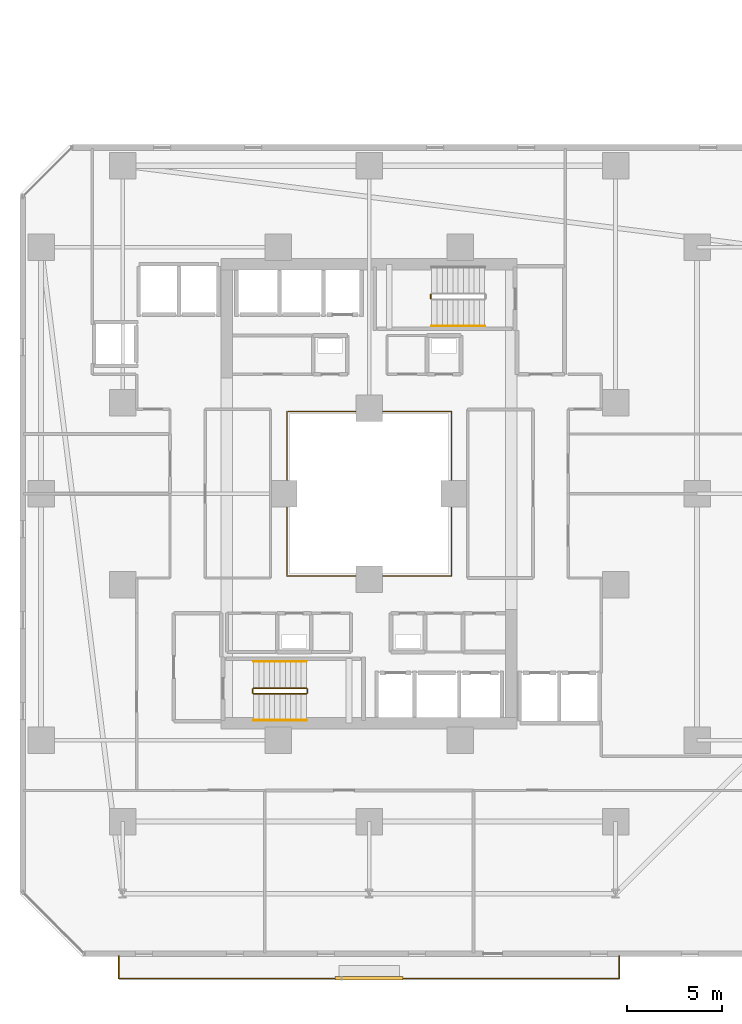
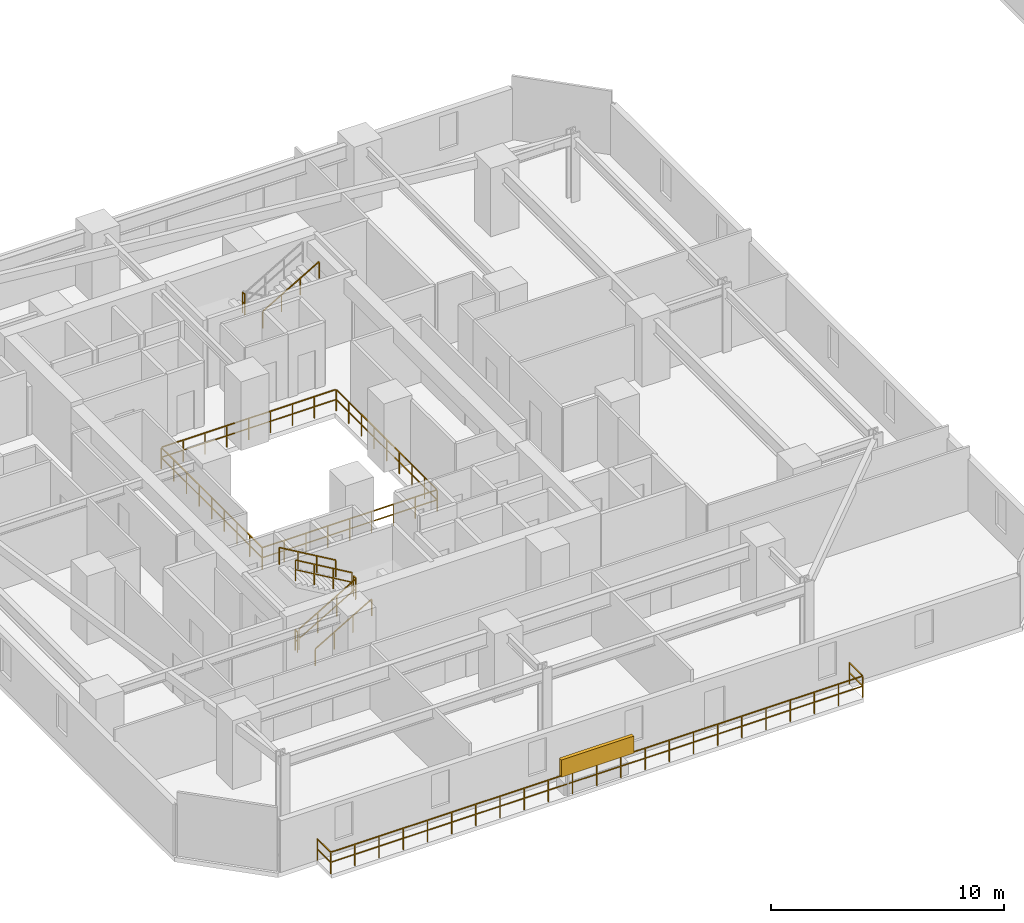
# One storey, part 31 of 34: 10 railings, 1 shading device.
"""IFC4 building model written with IfcOpenShell, lengths in metres."""

import ifcopenshell
import ifcopenshell.guid

model = None  # the IFC model being written
_history = None  # IfcOwnerHistory: only IFC2X3 demands one
_inside = {}  # id of a spatial element -> (the spatial element, [elements in it])
_under = {}  # id of a project, library or spatial element -> (it, [spatial elements below it])
_declared = {}  # id of a project -> (the project, [libraries it declares])
_typed = {}  # id of a type object -> (the type object, [elements of that type])
_made_of = {}  # id of a material, layer set ... -> (it, [elements and type objects made of it])


def new_model(schema):
    """Start an empty IFC model of exactly this schema.

    Asked for "IFC4X3", IfcOpenShell would pick the latest addendum, in which some entities
    have other attributes; the version numbers below select the first issue.
    IFC2X3 requires an IfcOwnerHistory on every rooted entity: one is made here for all.
    """
    global model, _history
    if schema == "IFC4X3":
        model = ifcopenshell.file(schema_version=(4, 3, 0, 0))
    else:
        model = ifcopenshell.file(schema=schema)
    _inside.clear()
    _under.clear()
    _declared.clear()
    _typed.clear()
    _made_of.clear()
    _history = None
    if model.schema == "IFC2X3":
        org = make("IfcOrganization", Name="unknown")
        user = make(
            "IfcPersonAndOrganization",
            ThePerson=make("IfcPerson", FamilyName="unknown"),
            TheOrganization=org,
        )
        app = make(
            "IfcApplication",
            ApplicationDeveloper=org,
            Version="unknown",
            ApplicationFullName="unknown",
            ApplicationIdentifier="unknown",
        )
        _history = make(
            "IfcOwnerHistory",
            OwningUser=user,
            OwningApplication=app,
            ChangeAction="ADDED",
            CreationDate=0,
        )
    return model


def make(cls, **values):
    """One entity of the class cls with the attributes given. An attribute that is None is left unset."""
    return model.create_entity(
        cls, **{name: value for name, value in values.items() if value is not None}
    )


def rooted(cls, **values):
    """An entity with a GlobalId (a new one), such as an element, a storey or a relation."""
    return make(cls, GlobalId=ifcopenshell.guid.new(), OwnerHistory=_history, **values)


def si_unit(unit_type, name, prefix=None):
    """IfcSIUnit, for example si_unit("LENGTHUNIT", "METRE", prefix="MILLI")."""
    return make("IfcSIUnit", UnitType=unit_type, Prefix=prefix, Name=name)


def assignment(units):
    """IfcUnitAssignment: the units of a project."""
    return None if units is None else make("IfcUnitAssignment", Units=units)


def point(xyz):
    """IfcCartesianPoint."""
    return None if xyz is None else make("IfcCartesianPoint", Coordinates=xyz)


def direction(xyz):
    """IfcDirection."""
    return None if xyz is None else make("IfcDirection", DirectionRatios=xyz)


def frame(location, z_axis=None, x_axis=None):
    """IfcAxis2Placement3D, a coordinate frame: its origin and axes. An axis left out is left unset."""
    return make(
        "IfcAxis2Placement3D",
        Location=point(location),
        Axis=direction(z_axis),
        RefDirection=direction(x_axis),
    )


def frame_2d(location, x_axis=None):
    """IfcAxis2Placement2D, a coordinate frame in the plane: its origin and x axis."""
    return make(
        "IfcAxis2Placement2D", Location=point(location), RefDirection=direction(x_axis)
    )


def origin():
    """The frame at (0, 0, 0) with its axes left unset."""
    return frame((0.0, 0.0, 0.0))


def origin_2d():
    """The frame at (0, 0) in the plane with its x axis left unset."""
    return frame_2d((0.0, 0.0))


def place(relative_to, where):
    """IfcLocalPlacement: puts the frame where relative to a parent placement (None: the world)."""
    return make(
        "IfcLocalPlacement", PlacementRelTo=relative_to, RelativePlacement=where
    )


def context(
    kind, dimensions, precision=None, world=None, true_north=None, identifier=None
):
    """IfcGeometricRepresentationContext, for example the 3D "Model" context."""
    return make(
        "IfcGeometricRepresentationContext",
        ContextIdentifier=identifier,
        ContextType=kind,
        CoordinateSpaceDimension=dimensions,
        Precision=precision,
        WorldCoordinateSystem=world,
        TrueNorth=true_north,
    )


def subcontext(parent, identifier, kind, view, scale=None):
    """IfcGeometricRepresentationSubContext, for example "Body" below "Model"."""
    return make(
        "IfcGeometricRepresentationSubContext",
        ContextIdentifier=identifier,
        ContextType=kind,
        ParentContext=parent,
        TargetScale=scale,
        TargetView=view,
    )


def project(units=None, contexts=None):
    """IfcProject with its units and contexts."""
    return rooted(
        "IfcProject",
        Name="project",
        RepresentationContexts=contexts,
        UnitsInContext=assignment(units),
    )


def spatial(cls, under=None, at=None, **own):
    """A site, building, storey or space (cls), placed at a placement, below another one or the project."""
    s = rooted(cls, ObjectPlacement=at, **own)
    if under is not None:
        _under.setdefault(under.id(), (under, []))[1].append(s)
    return s


def profile(cls, at=None, kind="AREA", **sizes):
    """A parametric profile (cls). Its sizes go by their IFC names, for example OverallWidth=200.0."""
    return make(cls, ProfileType=kind, Position=at, **sizes)


def rectangle(**sizes):
    """IfcRectangleProfileDef."""
    return profile("IfcRectangleProfileDef", **sizes)


def extrude(swept, where, along, depth):
    """IfcExtrudedAreaSolid: the profile swept, set in the frame where, extruded along a direction by depth."""
    return make(
        "IfcExtrudedAreaSolid",
        SweptArea=swept,
        Position=where,
        ExtrudedDirection=direction(along),
        Depth=depth,
    )


def shape(context_of_items, identifier, shape_type, items):
    """IfcShapeRepresentation: the items that make up one representation, for example the "Body"."""
    return make(
        "IfcShapeRepresentation",
        ContextOfItems=context_of_items,
        RepresentationIdentifier=identifier,
        RepresentationType=shape_type,
        Items=items,
    )


def material(Name=None, Category=None):
    """IfcMaterial."""
    return make("IfcMaterial", Name=Name, Category=Category)


def made_of(thing, what):
    """Note that an element or type object is made of a material, layer set ...; save() writes the relation."""
    if what is not None:
        _made_of.setdefault(what.id(), (what, []))[1].append(thing)
    return thing


def type_object(cls, material=None, **own):
    """A type object (cls), such as IfcWallType, which elements share."""
    return made_of(rooted(cls, **own), material)


def element(
    cls,
    number,
    at=None,
    inside=None,
    cuts=None,
    type_object=None,
    material=None,
    context=None,
    identifier="Body",
    shape_type=None,
    held_by="IfcProductDefinitionShape",
    body=None,
    shapes=None,
    **own,
):
    """One element of the class cls, such as IfcWall. Its Tag is "e" and its number.

    at: its placement. inside: the storey or other place that contains it. cuts: it is an
    opening in that element (IfcRelVoidsElement). A single representation is given by context,
    identifier, shape_type and body (its items); several are given by shapes. held_by: the class
    of the entity that holds the representations. save() writes the other relations.
    """
    e = rooted(cls, Tag="e%d" % number, ObjectPlacement=at, **own)
    if body is not None:
        shapes = [shape(context, identifier, shape_type, body)]
    if shapes is not None:
        e.Representation = make(held_by, Representations=shapes)
    if inside is not None:
        _inside.setdefault(inside.id(), (inside, []))[1].append(e)
    if cuts is not None:
        rooted(
            "IfcRelVoidsElement", RelatingBuildingElement=cuts, RelatedOpeningElement=e
        )
    if type_object is not None:
        _typed.setdefault(type_object.id(), (type_object, []))[1].append(e)
    return made_of(e, material)


def aggregate(whole, parts):
    """IfcRelAggregates: a whole, such as a stair, and the parts it consists of."""
    return rooted("IfcRelAggregates", RelatingObject=whole, RelatedObjects=parts)


def save(model, path):
    """Write the relations noted so far, then the file.

    IfcRelAggregates (storeys below a building ...), IfcRelContainedInSpatialStructure (elements
    in a storey), IfcRelDefinesByType, IfcRelAssociatesMaterial and IfcRelDeclares: one each for
    every whole, place, type object, material and project.
    """
    for whole, parts in _under.values():
        aggregate(whole, parts)
    for where, things in _inside.values():
        rooted(
            "IfcRelContainedInSpatialStructure",
            RelatedElements=things,
            RelatingStructure=where,
        )
    for kind, things in _typed.values():
        rooted("IfcRelDefinesByType", RelatedObjects=things, RelatingType=kind)
    for what, things in _made_of.values():
        rooted("IfcRelAssociatesMaterial", RelatedObjects=things, RelatingMaterial=what)
    for by, libraries in _declared.values():
        rooted("IfcRelDeclares", RelatingContext=by, RelatedDefinitions=libraries)
    model.write(path)


model = new_model("IFC4")

# Units and contexts
model_context = context("Model", 3, precision=1e-05, world=origin(), true_north=direction((0.0, 1.0)))
body_context = subcontext(model_context, "Body", "Model", "MODEL_VIEW")
ifc_project = project(units=[si_unit("LENGTHUNIT", "METRE"), si_unit("AREAUNIT", "SQUARE_METRE"), si_unit("VOLUMEUNIT", "CUBIC_METRE"), si_unit("PLANEANGLEUNIT", "RADIAN"), si_unit("MASSUNIT", "GRAM", prefix="KILO")], contexts=[model_context])

# Site, building, storey
site_placement = place(None, origin())
site = spatial("IfcSite", under=ifc_project, at=site_placement, CompositionType="ELEMENT")
building_placement = place(site_placement, origin())
building = spatial("IfcBuilding", under=site, at=building_placement, Name="Thornwick Lancets Civic Towers", CompositionType="ELEMENT")
storey_placement = place(building_placement, frame((0.0, 0.0, 60.89990234375)))
storey = spatial("IfcBuildingStorey", under=building, at=storey_placement, Name="L15", CompositionType="ELEMENT", Elevation=60.89990234375)

# Railings
ifc_material_1 = material(Name="Laminated glass and bronze steel S355", Category="steel")
railing_type_1 = type_object("IfcRailingType", Name="RAIL_ATRIUM_GUARD", PredefinedType="BALUSTRADE", material=ifc_material_1)
railing_1_placement = place(storey_placement, frame((21.159912109375, 22.659912109375, 0.0)))
element("IfcRailing", 1, at=railing_1_placement, inside=storey, type_object=railing_type_1, Name="L15 Tower A Central Atrium Guard Balustrade", PredefinedType="BALUSTRADE", context=body_context, shape_type="SweptSolid", body=[
    extrude(rectangle(XDim=0.048095703125, YDim=0.048095703125, at=origin_2d()), frame((0.0, 0.0, 1.1259765625), z_axis=(1.0, 0.0, 0.0), x_axis=(0.0, 1.0, 0.0)), (0.0, 0.0, 1.0), 8.64892578125),
    extrude(rectangle(XDim=0.0419921875, YDim=0.0419921875, at=origin_2d()), frame((0.03759765625, 0.0, 0.597900390625), z_axis=(1.0, 0.0, 0.0), x_axis=(0.0, 1.0, 0.0)), (0.0, 0.0, 1.0), 1.010009765625),
    extrude(rectangle(XDim=0.0419921875, YDim=0.0419921875, at=origin_2d()), frame((1.12255859375, 0.0, 0.597900390625), z_axis=(1.0, 0.0, 0.0), x_axis=(0.0, 1.0, 0.0)), (0.0, 0.0, 1.0), 1.010009765625),
    extrude(rectangle(XDim=0.0419921875, YDim=0.0419921875, at=origin_2d()), frame((2.20751953125, 0.0, 0.597900390625), z_axis=(1.0, 0.0, 0.0), x_axis=(0.0, 1.0, 0.0)), (0.0, 0.0, 1.0), 1.010009765625),
    extrude(rectangle(XDim=0.0419921875, YDim=0.0419921875, at=origin_2d()), frame((3.29248046875, 0.0, 0.597900390625), z_axis=(1.0, 0.0, 0.0), x_axis=(0.0, 1.0, 0.0)), (0.0, 0.0, 1.0), 1.010009765625),
    extrude(rectangle(XDim=0.0419921875, YDim=0.0419921875, at=origin_2d()), frame((4.377685546875, 0.0, 0.597900390625), z_axis=(1.0, 0.0, 0.0), x_axis=(0.0, 1.0, 0.0)), (0.0, 0.0, 1.0), 1.010009765625),
    extrude(rectangle(XDim=0.0419921875, YDim=0.0419921875, at=origin_2d()), frame((5.462646484375, 0.0, 0.597900390625), z_axis=(1.0, 0.0, 0.0), x_axis=(0.0, 1.0, 0.0)), (0.0, 0.0, 1.0), 1.010009765625),
    extrude(rectangle(XDim=0.0419921875, YDim=0.0419921875, at=origin_2d()), frame((6.547607421875, 0.0, 0.597900390625), z_axis=(1.0, 0.0, 0.0), x_axis=(0.0, 1.0, 0.0)), (0.0, 0.0, 1.0), 1.010009765625),
    extrude(rectangle(XDim=0.0419921875, YDim=0.0419921875, at=origin_2d()), frame((7.632568359375, 0.0, 0.597900390625), z_axis=(1.0, 0.0, 0.0), x_axis=(0.0, 1.0, 0.0)), (0.0, 0.0, 1.0), 1.010009765625),
    extrude(rectangle(XDim=0.048095703125, YDim=0.048095703125, at=origin_2d()), frame((8.68017578125, 0.03125, 1.1259765625), z_axis=(0.0, 1.0, 0.0), x_axis=(-1.0, 0.0, 0.0)), (0.0, 0.0, 1.0), 8.61767578125),
    extrude(rectangle(XDim=0.0419921875, YDim=0.0419921875, at=origin_2d()), frame((8.68017578125, 0.03759765625, 0.597900390625), z_axis=(0.0, 1.0, 0.0), x_axis=(-1.0, 0.0, 0.0)), (0.0, 0.0, 1.0), 1.010009765625),
    extrude(rectangle(XDim=0.0419921875, YDim=0.0419921875, at=origin_2d()), frame((8.68017578125, 1.12255859375, 0.597900390625), z_axis=(0.0, 1.0, 0.0), x_axis=(-1.0, 0.0, 0.0)), (0.0, 0.0, 1.0), 1.010009765625),
    extrude(rectangle(XDim=0.0419921875, YDim=0.0419921875, at=origin_2d()), frame((8.68017578125, 2.20751953125, 0.597900390625), z_axis=(0.0, 1.0, 0.0), x_axis=(-1.0, 0.0, 0.0)), (0.0, 0.0, 1.0), 1.010009765625),
    extrude(rectangle(XDim=0.0419921875, YDim=0.0419921875, at=origin_2d()), frame((8.68017578125, 3.29248046875, 0.597900390625), z_axis=(0.0, 1.0, 0.0), x_axis=(-1.0, 0.0, 0.0)), (0.0, 0.0, 1.0), 1.010009765625),
    extrude(rectangle(XDim=0.0419921875, YDim=0.0419921875, at=origin_2d()), frame((8.68017578125, 4.377685546875, 0.597900390625), z_axis=(0.0, 1.0, 0.0), x_axis=(-1.0, 0.0, 0.0)), (0.0, 0.0, 1.0), 1.010009765625),
    extrude(rectangle(XDim=0.0419921875, YDim=0.0419921875, at=origin_2d()), frame((8.68017578125, 5.462646484375, 0.597900390625), z_axis=(0.0, 1.0, 0.0), x_axis=(-1.0, 0.0, 0.0)), (0.0, 0.0, 1.0), 1.010009765625),
    extrude(rectangle(XDim=0.0419921875, YDim=0.0419921875, at=origin_2d()), frame((8.68017578125, 6.547607421875, 0.597900390625), z_axis=(0.0, 1.0, 0.0), x_axis=(-1.0, 0.0, 0.0)), (0.0, 0.0, 1.0), 1.010009765625),
    extrude(rectangle(XDim=0.0419921875, YDim=0.0419921875, at=origin_2d()), frame((8.68017578125, 7.632568359375, 0.597900390625), z_axis=(0.0, 1.0, 0.0), x_axis=(-1.0, 0.0, 0.0)), (0.0, 0.0, 1.0), 1.010009765625),
    extrude(rectangle(XDim=0.048095703125, YDim=0.048095703125, at=origin_2d()), frame((8.64892578125, 8.68017578125, 1.1259765625), z_axis=(-1.0, 0.0, 0.0), x_axis=(0.0, -1.0, 0.0)), (0.0, 0.0, 1.0), 8.61767578125),
    extrude(rectangle(XDim=0.0419921875, YDim=0.0419921875, at=origin_2d()), frame((8.642578125, 8.68017578125, 0.597900390625), z_axis=(-1.0, 0.0, 0.0), x_axis=(0.0, -1.0, 0.0)), (0.0, 0.0, 1.0), 1.010009765625),
    extrude(rectangle(XDim=0.0419921875, YDim=0.0419921875, at=origin_2d()), frame((7.5576171875, 8.68017578125, 0.597900390625), z_axis=(-1.0, 0.0, 0.0), x_axis=(0.0, -1.0, 0.0)), (0.0, 0.0, 1.0), 1.010009765625),
    extrude(rectangle(XDim=0.0419921875, YDim=0.0419921875, at=origin_2d()), frame((6.47265625, 8.68017578125, 0.597900390625), z_axis=(-1.0, 0.0, 0.0), x_axis=(0.0, -1.0, 0.0)), (0.0, 0.0, 1.0), 1.010009765625),
    extrude(rectangle(XDim=0.0419921875, YDim=0.0419921875, at=origin_2d()), frame((5.3876953125, 8.68017578125, 0.597900390625), z_axis=(-1.0, 0.0, 0.0), x_axis=(0.0, -1.0, 0.0)), (0.0, 0.0, 1.0), 1.010009765625),
    extrude(rectangle(XDim=0.0419921875, YDim=0.0419921875, at=origin_2d()), frame((4.302490234375, 8.68017578125, 0.597900390625), z_axis=(-1.0, 0.0, 0.0), x_axis=(0.0, -1.0, 0.0)), (0.0, 0.0, 1.0), 1.010009765625),
    extrude(rectangle(XDim=0.0419921875, YDim=0.0419921875, at=origin_2d()), frame((3.217529296875, 8.68017578125, 0.597900390625), z_axis=(-1.0, 0.0, 0.0), x_axis=(0.0, -1.0, 0.0)), (0.0, 0.0, 1.0), 1.010009765625),
    extrude(rectangle(XDim=0.0419921875, YDim=0.0419921875, at=origin_2d()), frame((2.132568359375, 8.68017578125, 0.597900390625), z_axis=(-1.0, 0.0, 0.0), x_axis=(0.0, -1.0, 0.0)), (0.0, 0.0, 1.0), 1.010009765625),
    extrude(rectangle(XDim=0.0419921875, YDim=0.0419921875, at=origin_2d()), frame((1.047607421875, 8.68017578125, 0.597900390625), z_axis=(-1.0, 0.0, 0.0), x_axis=(0.0, -1.0, 0.0)), (0.0, 0.0, 1.0), 1.010009765625),
    extrude(rectangle(XDim=0.048095703125, YDim=0.048095703125, at=origin_2d()), frame((0.0, 8.64892578125, 1.1259765625), z_axis=(0.0, -1.0, 0.0), x_axis=(1.0, 0.0, 0.0)), (0.0, 0.0, 1.0), 8.64892578125),
    extrude(rectangle(XDim=0.0419921875, YDim=0.0419921875, at=origin_2d()), frame((0.0, 8.642578125, 0.597900390625), z_axis=(0.0, -1.0, 0.0), x_axis=(1.0, 0.0, 0.0)), (0.0, 0.0, 1.0), 1.010009765625),
    extrude(rectangle(XDim=0.0419921875, YDim=0.0419921875, at=origin_2d()), frame((0.0, 7.5576171875, 0.597900390625), z_axis=(0.0, -1.0, 0.0), x_axis=(1.0, 0.0, 0.0)), (0.0, 0.0, 1.0), 1.010009765625),
    extrude(rectangle(XDim=0.0419921875, YDim=0.0419921875, at=origin_2d()), frame((0.0, 6.47265625, 0.597900390625), z_axis=(0.0, -1.0, 0.0), x_axis=(1.0, 0.0, 0.0)), (0.0, 0.0, 1.0), 1.010009765625),
    extrude(rectangle(XDim=0.0419921875, YDim=0.0419921875, at=origin_2d()), frame((0.0, 5.3876953125, 0.597900390625), z_axis=(0.0, -1.0, 0.0), x_axis=(1.0, 0.0, 0.0)), (0.0, 0.0, 1.0), 1.010009765625),
    extrude(rectangle(XDim=0.0419921875, YDim=0.0419921875, at=origin_2d()), frame((0.0, 4.302490234375, 0.597900390625), z_axis=(0.0, -1.0, 0.0), x_axis=(1.0, 0.0, 0.0)), (0.0, 0.0, 1.0), 1.010009765625),
    extrude(rectangle(XDim=0.0419921875, YDim=0.0419921875, at=origin_2d()), frame((0.0, 3.217529296875, 0.597900390625), z_axis=(0.0, -1.0, 0.0), x_axis=(1.0, 0.0, 0.0)), (0.0, 0.0, 1.0), 1.010009765625),
    extrude(rectangle(XDim=0.0419921875, YDim=0.0419921875, at=origin_2d()), frame((0.0, 2.132568359375, 0.597900390625), z_axis=(0.0, -1.0, 0.0), x_axis=(1.0, 0.0, 0.0)), (0.0, 0.0, 1.0), 1.010009765625),
    extrude(rectangle(XDim=0.0419921875, YDim=0.0419921875, at=origin_2d()), frame((0.0, 1.047607421875, 0.597900390625), z_axis=(0.0, -1.0, 0.0), x_axis=(1.0, 0.0, 0.0)), (0.0, 0.0, 1.0), 1.010009765625),
    extrude(rectangle(XDim=0.0419921875, YDim=0.0419921875, at=origin_2d()), origin(), (0.0, 0.0, 1.0), 1.095703125),
    extrude(rectangle(XDim=0.0419921875, YDim=0.0419921875, at=origin_2d()), frame((1.0849609375, 0.0, 0.0)), (0.0, 0.0, 1.0), 1.095703125),
    extrude(rectangle(XDim=0.0419921875, YDim=0.0419921875, at=origin_2d()), frame((2.169921875, 0.0, 0.0)), (0.0, 0.0, 1.0), 1.095703125),
    extrude(rectangle(XDim=0.0419921875, YDim=0.0419921875, at=origin_2d()), frame((3.255126953125, 0.0, 0.0)), (0.0, 0.0, 1.0), 1.095703125),
    extrude(rectangle(XDim=0.0419921875, YDim=0.0419921875, at=origin_2d()), frame((4.340087890625, 0.0, 0.0)), (0.0, 0.0, 1.0), 1.095703125),
    extrude(rectangle(XDim=0.0419921875, YDim=0.0419921875, at=origin_2d()), frame((5.425048828125, 0.0, 0.0)), (0.0, 0.0, 1.0), 1.095703125),
    extrude(rectangle(XDim=0.0419921875, YDim=0.0419921875, at=origin_2d()), frame((6.51025390625, 0.0, 0.0)), (0.0, 0.0, 1.0), 1.095703125),
    extrude(rectangle(XDim=0.0419921875, YDim=0.0419921875, at=origin_2d()), frame((7.59521484375, 0.0, 0.0)), (0.0, 0.0, 1.0), 1.095703125),
    extrude(rectangle(XDim=0.0419921875, YDim=0.0419921875, at=origin_2d()), frame((8.68017578125, 0.0, 0.0)), (0.0, 0.0, 1.0), 1.095703125),
    extrude(rectangle(XDim=0.0419921875, YDim=0.0419921875, at=origin_2d()), frame((8.68017578125, 1.0849609375, 0.0)), (0.0, 0.0, 1.0), 1.095703125),
    extrude(rectangle(XDim=0.0419921875, YDim=0.0419921875, at=origin_2d()), frame((8.68017578125, 2.169921875, 0.0)), (0.0, 0.0, 1.0), 1.095703125),
    extrude(rectangle(XDim=0.0419921875, YDim=0.0419921875, at=origin_2d()), frame((8.68017578125, 3.255126953125, 0.0)), (0.0, 0.0, 1.0), 1.095703125),
    extrude(rectangle(XDim=0.0419921875, YDim=0.0419921875, at=origin_2d()), frame((8.68017578125, 4.340087890625, 0.0)), (0.0, 0.0, 1.0), 1.095703125),
    extrude(rectangle(XDim=0.0419921875, YDim=0.0419921875, at=origin_2d()), frame((8.68017578125, 5.425048828125, 0.0)), (0.0, 0.0, 1.0), 1.095703125),
    extrude(rectangle(XDim=0.0419921875, YDim=0.0419921875, at=origin_2d()), frame((8.68017578125, 6.51025390625, 0.0)), (0.0, 0.0, 1.0), 1.095703125),
    extrude(rectangle(XDim=0.0419921875, YDim=0.0419921875, at=origin_2d()), frame((8.68017578125, 7.59521484375, 0.0)), (0.0, 0.0, 1.0), 1.095703125),
    extrude(rectangle(XDim=0.0419921875, YDim=0.0419921875, at=origin_2d()), frame((8.68017578125, 8.68017578125, 0.0)), (0.0, 0.0, 1.0), 1.095703125),
    extrude(rectangle(XDim=0.0419921875, YDim=0.0419921875, at=origin_2d()), frame((7.59521484375, 8.68017578125, 0.0)), (0.0, 0.0, 1.0), 1.095703125),
    extrude(rectangle(XDim=0.0419921875, YDim=0.0419921875, at=origin_2d()), frame((6.51025390625, 8.68017578125, 0.0)), (0.0, 0.0, 1.0), 1.095703125),
    extrude(rectangle(XDim=0.0419921875, YDim=0.0419921875, at=origin_2d()), frame((5.425048828125, 8.68017578125, 0.0)), (0.0, 0.0, 1.0), 1.095703125),
    extrude(rectangle(XDim=0.0419921875, YDim=0.0419921875, at=origin_2d()), frame((4.340087890625, 8.68017578125, 0.0)), (0.0, 0.0, 1.0), 1.095703125),
    extrude(rectangle(XDim=0.0419921875, YDim=0.0419921875, at=origin_2d()), frame((3.255126953125, 8.68017578125, 0.0)), (0.0, 0.0, 1.0), 1.095703125),
    extrude(rectangle(XDim=0.0419921875, YDim=0.0419921875, at=origin_2d()), frame((2.169921875, 8.68017578125, 0.0)), (0.0, 0.0, 1.0), 1.095703125),
    extrude(rectangle(XDim=0.0419921875, YDim=0.0419921875, at=origin_2d()), frame((1.0849609375, 8.68017578125, 0.0)), (0.0, 0.0, 1.0), 1.095703125),
    extrude(rectangle(XDim=0.0419921875, YDim=0.0419921875, at=origin_2d()), frame((0.0, 8.68017578125, 0.0)), (0.0, 0.0, 1.0), 1.095703125),
    extrude(rectangle(XDim=0.0419921875, YDim=0.0419921875, at=origin_2d()), frame((0.0, 7.59521484375, 0.0)), (0.0, 0.0, 1.0), 1.095703125),
    extrude(rectangle(XDim=0.0419921875, YDim=0.0419921875, at=origin_2d()), frame((0.0, 6.51025390625, 0.0)), (0.0, 0.0, 1.0), 1.095703125),
    extrude(rectangle(XDim=0.0419921875, YDim=0.0419921875, at=origin_2d()), frame((0.0, 5.425048828125, 0.0)), (0.0, 0.0, 1.0), 1.095703125),
    extrude(rectangle(XDim=0.0419921875, YDim=0.0419921875, at=origin_2d()), frame((0.0, 4.340087890625, 0.0)), (0.0, 0.0, 1.0), 1.095703125),
    extrude(rectangle(XDim=0.0419921875, YDim=0.0419921875, at=origin_2d()), frame((0.0, 3.255126953125, 0.0)), (0.0, 0.0, 1.0), 1.095703125),
    extrude(rectangle(XDim=0.0419921875, YDim=0.0419921875, at=origin_2d()), frame((0.0, 2.169921875, 0.0)), (0.0, 0.0, 1.0), 1.095703125),
    extrude(rectangle(XDim=0.0419921875, YDim=0.0419921875, at=origin_2d()), frame((0.0, 1.0849609375, 0.0)), (0.0, 0.0, 1.0), 1.095703125),
])
ifc_material_2 = material(Name="Brushed stainless steel S355", Category="steel")
railing_type_2 = type_object("IfcRailingType", Name="RAIL_HANDRAIL", PredefinedType="HANDRAIL", material=ifc_material_2)
railing_2_placement = place(storey_placement, frame((19.39990234375, 15.050048828125, 0.163818359375)))
element("IfcRailing", 2, at=railing_2_placement, inside=storey, type_object=railing_type_2, Name="L15 ST-A1 stair handrail 1", PredefinedType="HANDRAIL", context=body_context, shape_type="SweptSolid", body=[
    extrude(rectangle(XDim=0.048095703125, YDim=0.048095703125, at=origin_2d()), frame((0.0, 0.0, 0.8857421875), z_axis=(0.863393664356, 0.0, 0.504530851732), x_axis=(0.0, 1.0, 0.0)), (0.0, 0.0, 1.0), 3.2431640625),
    extrude(rectangle(XDim=0.0419921875, YDim=0.0419921875, at=origin_2d()), origin(), (0.0, 0.0, 1.0), 0.855712890625),
    extrude(rectangle(XDim=0.0419921875, YDim=0.0419921875, at=origin_2d()), frame((0.933349609375, 0.0, 0.54541015625)), (0.0, 0.0, 1.0), 0.855712890625),
    extrude(rectangle(XDim=0.0419921875, YDim=0.0419921875, at=origin_2d()), frame((1.86669921875, 0.0, 1.0908203125)), (0.0, 0.0, 1.0), 0.855712890625),
    extrude(rectangle(XDim=0.0419921875, YDim=0.0419921875, at=origin_2d()), frame((2.800048828125, 0.0, 1.63623046875)), (0.0, 0.0, 1.0), 0.855712890625),
])
railing_3_placement = place(storey_placement, frame((22.199951171875, 18.14990234375, 1.963623046875)))
element("IfcRailing", 3, at=railing_3_placement, inside=storey, type_object=railing_type_2, Name="L15 ST-A1 stair handrail 2", PredefinedType="HANDRAIL", context=body_context, shape_type="SweptSolid", body=[
    extrude(rectangle(XDim=0.048095703125, YDim=0.048095703125, at=origin_2d()), frame((0.0, 0.0, 0.8857421875), z_axis=(-0.863360870873, 0.0, 0.504586966384), x_axis=(0.0, -1.0, 0.0)), (0.0, 0.0, 1.0), 3.2431640625),
    extrude(rectangle(XDim=0.0419921875, YDim=0.0419921875, at=origin_2d()), origin(), (0.0, 0.0, 1.0), 0.855712890625),
    extrude(rectangle(XDim=0.0419921875, YDim=0.0419921875, at=origin_2d()), frame((-0.933349609375, 0.0, 0.54541015625)), (0.0, 0.0, 1.0), 0.855712890625),
    extrude(rectangle(XDim=0.0419921875, YDim=0.0419921875, at=origin_2d()), frame((-1.86669921875, 0.0, 1.091064453125)), (0.0, 0.0, 1.0), 0.855712890625),
    extrude(rectangle(XDim=0.0419921875, YDim=0.0419921875, at=origin_2d()), frame((-2.800048828125, 0.0, 1.636474609375)), (0.0, 0.0, 1.0), 0.855712890625),
])
railing_4_placement = place(storey_placement, frame((28.800048828125, 35.85009765625, 1.963623046875)))
element("IfcRailing", 4, at=railing_4_placement, inside=storey, type_object=railing_type_2, Name="L15 ST-A2 stair handrail 2", PredefinedType="HANDRAIL", context=body_context, shape_type="SweptSolid", body=[
    extrude(rectangle(XDim=0.048095703125, YDim=0.048095703125, at=origin_2d()), frame((0.0, 0.0, 0.8857421875), z_axis=(0.863360870873, 0.0, 0.504586966384), x_axis=(0.0, 1.0, 0.0)), (0.0, 0.0, 1.0), 3.2431640625),
    extrude(rectangle(XDim=0.0419921875, YDim=0.0419921875, at=origin_2d()), origin(), (0.0, 0.0, 1.0), 0.855712890625),
    extrude(rectangle(XDim=0.0419921875, YDim=0.0419921875, at=origin_2d()), frame((0.933349609375, 0.0, 0.54541015625)), (0.0, 0.0, 1.0), 0.855712890625),
    extrude(rectangle(XDim=0.0419921875, YDim=0.0419921875, at=origin_2d()), frame((1.86669921875, 0.0, 1.091064453125)), (0.0, 0.0, 1.0), 0.855712890625),
    extrude(rectangle(XDim=0.0419921875, YDim=0.0419921875, at=origin_2d()), frame((2.800048828125, 0.0, 1.636474609375)), (0.0, 0.0, 1.0), 0.855712890625),
])
ifc_material_3 = material(Name="Steel S355JR", Category="steel")
railing_type_3 = type_object("IfcRailingType", Name="RAIL_STAIR_GUARD", PredefinedType="GUARDRAIL", material=ifc_material_3)
railing_5_placement = place(storey_placement, frame((19.39990234375, 16.449951171875, 0.163818359375)))
element("IfcRailing", 5, at=railing_5_placement, inside=storey, type_object=railing_type_3, Name="L15 ST-A1 stair guard 1", PredefinedType="GUARDRAIL", context=body_context, shape_type="SweptSolid", body=[
    extrude(rectangle(XDim=0.048095703125, YDim=0.048095703125, at=origin_2d()), frame((0.0, 0.0, 1.076171875), z_axis=(0.863393664356, 0.0, 0.504530851732), x_axis=(0.0, 1.0, 0.0)), (0.0, 0.0, 1.0), 3.2431640625),
    extrude(rectangle(XDim=0.0419921875, YDim=0.0419921875, at=origin_2d()), frame((0.032470703125, 0.0, 0.591064453125), z_axis=(0.863393664356, 0.0, 0.504530851732), x_axis=(0.0, 1.0, 0.0)), (0.0, 0.0, 1.0), 1.006103515625),
    extrude(rectangle(XDim=0.0419921875, YDim=0.0419921875, at=origin_2d()), frame((0.9658203125, 0.0, 1.136474609375), z_axis=(0.863393664356, 0.0, 0.504530851732), x_axis=(0.0, 1.0, 0.0)), (0.0, 0.0, 1.0), 1.006103515625),
    extrude(rectangle(XDim=0.0419921875, YDim=0.0419921875, at=origin_2d()), frame((1.899169921875, 0.0, 1.681884765625), z_axis=(0.863393664356, 0.0, 0.504530851732), x_axis=(0.0, 1.0, 0.0)), (0.0, 0.0, 1.0), 1.006103515625),
    extrude(rectangle(XDim=0.0419921875, YDim=0.0419921875, at=origin_2d()), origin(), (0.0, 0.0, 1.0), 1.0458984375),
    extrude(rectangle(XDim=0.0419921875, YDim=0.0419921875, at=origin_2d()), frame((0.933349609375, 0.0, 0.54541015625)), (0.0, 0.0, 1.0), 1.0458984375),
    extrude(rectangle(XDim=0.0419921875, YDim=0.0419921875, at=origin_2d()), frame((1.86669921875, 0.0, 1.0908203125)), (0.0, 0.0, 1.0), 1.0458984375),
    extrude(rectangle(XDim=0.0419921875, YDim=0.0419921875, at=origin_2d()), frame((2.800048828125, 0.0, 1.63623046875)), (0.0, 0.0, 1.0), 1.0458984375),
])
railing_6_placement = place(storey_placement, frame((22.25, 16.5, 1.800048828125)))
element("IfcRailing", 6, at=railing_6_placement, inside=storey, type_object=railing_type_3, Name="L15 ST-A1 stair guard 2", PredefinedType="GUARDRAIL", context=body_context, shape_type="SweptSolid", body=[
    extrude(rectangle(XDim=0.048095703125, YDim=0.048095703125, at=origin_2d()), frame((0.0, 0.0, 1.076171875), z_axis=(0.0, 1.0, 0.0), x_axis=(-1.0, 0.0, 0.0)), (0.0, 0.0, 1.0), 0.199951171875),
    extrude(rectangle(XDim=0.0419921875, YDim=0.0419921875, at=origin_2d()), frame((0.0, 0.03759765625, 0.572021484375), z_axis=(0.0, 1.0, 0.0), x_axis=(-1.0, 0.0, 0.0)), (0.0, 0.0, 1.0), 0.125),
    extrude(rectangle(XDim=0.0419921875, YDim=0.0419921875, at=origin_2d()), origin(), (0.0, 0.0, 1.0), 1.0458984375),
    extrude(rectangle(XDim=0.0419921875, YDim=0.0419921875, at=origin_2d()), frame((0.0, 0.199951171875, 0.0)), (0.0, 0.0, 1.0), 1.0458984375),
])
railing_7_placement = place(storey_placement, frame((22.199951171875, 16.75, 1.963623046875)))
element("IfcRailing", 7, at=railing_7_placement, inside=storey, type_object=railing_type_3, Name="L15 ST-A1 stair guard 3", PredefinedType="GUARDRAIL", context=body_context, shape_type="SweptSolid", body=[
    extrude(rectangle(XDim=0.048095703125, YDim=0.048095703125, at=origin_2d()), frame((0.0, 0.0, 1.076171875), z_axis=(-0.863360870873, 0.0, 0.504586966384), x_axis=(0.0, -1.0, 0.0)), (0.0, 0.0, 1.0), 3.2431640625),
    extrude(rectangle(XDim=0.0419921875, YDim=0.0419921875, at=origin_2d()), frame((-0.032470703125, 0.0, 0.591064453125), z_axis=(-0.863360870873, 0.0, 0.504586966384), x_axis=(0.0, -1.0, 0.0)), (0.0, 0.0, 1.0), 1.006103515625),
    extrude(rectangle(XDim=0.0419921875, YDim=0.0419921875, at=origin_2d()), frame((-0.9658203125, 0.0, 1.136474609375), z_axis=(-0.863360870873, 0.0, 0.504586966384), x_axis=(0.0, -1.0, 0.0)), (0.0, 0.0, 1.0), 1.006103515625),
    extrude(rectangle(XDim=0.0419921875, YDim=0.0419921875, at=origin_2d()), frame((-1.899169921875, 0.0, 1.681884765625), z_axis=(-0.863360870873, 0.0, 0.504586966384), x_axis=(0.0, -1.0, 0.0)), (0.0, 0.0, 1.0), 1.006103515625),
    extrude(rectangle(XDim=0.0419921875, YDim=0.0419921875, at=origin_2d()), origin(), (0.0, 0.0, 1.0), 1.0458984375),
    extrude(rectangle(XDim=0.0419921875, YDim=0.0419921875, at=origin_2d()), frame((-0.933349609375, 0.0, 0.54541015625)), (0.0, 0.0, 1.0), 1.0458984375),
    extrude(rectangle(XDim=0.0419921875, YDim=0.0419921875, at=origin_2d()), frame((-1.86669921875, 0.0, 1.091064453125)), (0.0, 0.0, 1.0), 1.0458984375),
    extrude(rectangle(XDim=0.0419921875, YDim=0.0419921875, at=origin_2d()), frame((-2.800048828125, 0.0, 1.636474609375)), (0.0, 0.0, 1.0), 1.0458984375),
])
railing_8_placement = place(storey_placement, frame((19.35009765625, 16.5, 0.0)))
element("IfcRailing", 8, at=railing_8_placement, inside=storey, type_object=railing_type_3, Name="L15 ST-A1 stair guard 4", PredefinedType="GUARDRAIL", context=body_context, shape_type="SweptSolid", body=[
    extrude(rectangle(XDim=0.048095703125, YDim=0.048095703125, at=origin_2d()), frame((0.0, 0.0, 1.076171875), z_axis=(0.0, 1.0, 0.0), x_axis=(-1.0, 0.0, 0.0)), (0.0, 0.0, 1.0), 0.199951171875),
    extrude(rectangle(XDim=0.0419921875, YDim=0.0419921875, at=origin_2d()), frame((0.0, 0.03759765625, 0.572021484375), z_axis=(0.0, 1.0, 0.0), x_axis=(-1.0, 0.0, 0.0)), (0.0, 0.0, 1.0), 0.125),
    extrude(rectangle(XDim=0.0419921875, YDim=0.0419921875, at=origin_2d()), origin(), (0.0, 0.0, 1.0), 1.0458984375),
    extrude(rectangle(XDim=0.0419921875, YDim=0.0419921875, at=origin_2d()), frame((0.0, 0.199951171875, 0.0)), (0.0, 0.0, 1.0), 1.0458984375),
])
railing_9_placement = place(storey_placement, frame((28.75, 37.5, 1.800048828125)))
element("IfcRailing", 9, at=railing_9_placement, inside=storey, type_object=railing_type_3, Name="L15 ST-A2 stair guard 2", PredefinedType="GUARDRAIL", context=body_context, shape_type="SweptSolid", body=[
    extrude(rectangle(XDim=0.048095703125, YDim=0.048095703125, at=origin_2d()), frame((0.0, 0.0, 1.076171875), z_axis=(0.0, -1.0, 0.0), x_axis=(1.0, 0.0, 0.0)), (0.0, 0.0, 1.0), 0.199951171875),
    extrude(rectangle(XDim=0.0419921875, YDim=0.0419921875, at=origin_2d()), frame((0.0, -0.03759765625, 0.572021484375), z_axis=(0.0, -1.0, 0.0), x_axis=(1.0, 0.0, 0.0)), (0.0, 0.0, 1.0), 0.125),
    extrude(rectangle(XDim=0.0419921875, YDim=0.0419921875, at=origin_2d()), origin(), (0.0, 0.0, 1.0), 1.0458984375),
    extrude(rectangle(XDim=0.0419921875, YDim=0.0419921875, at=origin_2d()), frame((0.0, -0.199951171875, 0.0)), (0.0, 0.0, 1.0), 1.0458984375),
])
ifc_material_4 = material(Name="Terracotta-capped laminated glass balustrade S355", Category="masonry")
railing_type_4 = type_object("IfcRailingType", Name="RAIL_TERR_GUARD", PredefinedType="GUARDRAIL", material=ifc_material_4)
railing_10_placement = place(storey_placement, frame((12.300048828125, 2.60009765625, 0.0)))
element("IfcRailing", 10, at=railing_10_placement, inside=storey, type_object=railing_type_4, Name="L15 Tower A Balcony Guard S", PredefinedType="GUARDRAIL", context=body_context, shape_type="SweptSolid", body=[
    extrude(rectangle(XDim=0.048095703125, YDim=0.048095703125, at=origin_2d()), frame((0.0, 0.0, 1.1259765625), z_axis=(0.0, -1.0, 0.0), x_axis=(1.0, 0.0, 0.0)), (0.0, 0.0, 1.0), 1.138916015625),
    extrude(rectangle(XDim=0.0419921875, YDim=0.0419921875, at=origin_2d()), frame((0.0, -0.03759765625, 0.597900390625), z_axis=(0.0, -1.0, 0.0), x_axis=(1.0, 0.0, 0.0)), (0.0, 0.0, 1.0), 1.09521484375),
    extrude(rectangle(XDim=0.048095703125, YDim=0.048095703125, at=origin_2d()), frame((0.03125, -1.170166015625, 1.1259765625), z_axis=(1.0, 0.0, 0.0), x_axis=(0.0, 1.0, 0.0)), (0.0, 0.0, 1.0), 26.33740234375),
    extrude(rectangle(XDim=0.0419921875, YDim=0.0419921875, at=origin_2d()), frame((0.03759765625, -1.170166015625, 0.597900390625), z_axis=(1.0, 0.0, 0.0), x_axis=(0.0, 1.0, 0.0)), (0.0, 0.0, 1.0), 1.125),
    extrude(rectangle(XDim=0.0419921875, YDim=0.0419921875, at=origin_2d()), frame((1.237548828125, -1.170166015625, 0.597900390625), z_axis=(1.0, 0.0, 0.0), x_axis=(0.0, 1.0, 0.0)), (0.0, 0.0, 1.0), 1.125),
    extrude(rectangle(XDim=0.0419921875, YDim=0.0419921875, at=origin_2d()), frame((2.4375, -1.170166015625, 0.597900390625), z_axis=(1.0, 0.0, 0.0), x_axis=(0.0, 1.0, 0.0)), (0.0, 0.0, 1.0), 1.125),
    extrude(rectangle(XDim=0.0419921875, YDim=0.0419921875, at=origin_2d()), frame((3.637451171875, -1.170166015625, 0.597900390625), z_axis=(1.0, 0.0, 0.0), x_axis=(0.0, 1.0, 0.0)), (0.0, 0.0, 1.0), 1.125),
    extrude(rectangle(XDim=0.0419921875, YDim=0.0419921875, at=origin_2d()), frame((4.83740234375, -1.170166015625, 0.597900390625), z_axis=(1.0, 0.0, 0.0), x_axis=(0.0, 1.0, 0.0)), (0.0, 0.0, 1.0), 1.125),
    extrude(rectangle(XDim=0.0419921875, YDim=0.0419921875, at=origin_2d()), frame((6.037353515625, -1.170166015625, 0.597900390625), z_axis=(1.0, 0.0, 0.0), x_axis=(0.0, 1.0, 0.0)), (0.0, 0.0, 1.0), 1.125),
    extrude(rectangle(XDim=0.0419921875, YDim=0.0419921875, at=origin_2d()), frame((7.237548828125, -1.170166015625, 0.597900390625), z_axis=(1.0, 0.0, 0.0), x_axis=(0.0, 1.0, 0.0)), (0.0, 0.0, 1.0), 1.125),
    extrude(rectangle(XDim=0.0419921875, YDim=0.0419921875, at=origin_2d()), frame((8.4375, -1.170166015625, 0.597900390625), z_axis=(1.0, 0.0, 0.0), x_axis=(0.0, 1.0, 0.0)), (0.0, 0.0, 1.0), 1.125),
    extrude(rectangle(XDim=0.0419921875, YDim=0.0419921875, at=origin_2d()), frame((9.637451171875, -1.170166015625, 0.597900390625), z_axis=(1.0, 0.0, 0.0), x_axis=(0.0, 1.0, 0.0)), (0.0, 0.0, 1.0), 1.125),
    extrude(rectangle(XDim=0.0419921875, YDim=0.0419921875, at=origin_2d()), frame((10.83740234375, -1.170166015625, 0.597900390625), z_axis=(1.0, 0.0, 0.0), x_axis=(0.0, 1.0, 0.0)), (0.0, 0.0, 1.0), 1.125),
    extrude(rectangle(XDim=0.0419921875, YDim=0.0419921875, at=origin_2d()), frame((12.037353515625, -1.170166015625, 0.597900390625), z_axis=(1.0, 0.0, 0.0), x_axis=(0.0, 1.0, 0.0)), (0.0, 0.0, 1.0), 1.125),
    extrude(rectangle(XDim=0.0419921875, YDim=0.0419921875, at=origin_2d()), frame((13.237548828125, -1.170166015625, 0.597900390625), z_axis=(1.0, 0.0, 0.0), x_axis=(0.0, 1.0, 0.0)), (0.0, 0.0, 1.0), 1.125),
    extrude(rectangle(XDim=0.0419921875, YDim=0.0419921875, at=origin_2d()), frame((14.4375, -1.170166015625, 0.597900390625), z_axis=(1.0, 0.0, 0.0), x_axis=(0.0, 1.0, 0.0)), (0.0, 0.0, 1.0), 1.125),
    extrude(rectangle(XDim=0.0419921875, YDim=0.0419921875, at=origin_2d()), frame((15.637451171875, -1.170166015625, 0.597900390625), z_axis=(1.0, 0.0, 0.0), x_axis=(0.0, 1.0, 0.0)), (0.0, 0.0, 1.0), 1.125),
    extrude(rectangle(XDim=0.0419921875, YDim=0.0419921875, at=origin_2d()), frame((16.83740234375, -1.170166015625, 0.597900390625), z_axis=(1.0, 0.0, 0.0), x_axis=(0.0, 1.0, 0.0)), (0.0, 0.0, 1.0), 1.125),
    extrude(rectangle(XDim=0.0419921875, YDim=0.0419921875, at=origin_2d()), frame((18.037353515625, -1.170166015625, 0.597900390625), z_axis=(1.0, 0.0, 0.0), x_axis=(0.0, 1.0, 0.0)), (0.0, 0.0, 1.0), 1.125),
    extrude(rectangle(XDim=0.0419921875, YDim=0.0419921875, at=origin_2d()), frame((19.2373046875, -1.170166015625, 0.597900390625), z_axis=(1.0, 0.0, 0.0), x_axis=(0.0, 1.0, 0.0)), (0.0, 0.0, 1.0), 1.125),
    extrude(rectangle(XDim=0.0419921875, YDim=0.0419921875, at=origin_2d()), frame((20.4375, -1.170166015625, 0.597900390625), z_axis=(1.0, 0.0, 0.0), x_axis=(0.0, 1.0, 0.0)), (0.0, 0.0, 1.0), 1.125),
    extrude(rectangle(XDim=0.0419921875, YDim=0.0419921875, at=origin_2d()), frame((21.637451171875, -1.170166015625, 0.597900390625), z_axis=(1.0, 0.0, 0.0), x_axis=(0.0, 1.0, 0.0)), (0.0, 0.0, 1.0), 1.125),
    extrude(rectangle(XDim=0.0419921875, YDim=0.0419921875, at=origin_2d()), frame((22.83740234375, -1.170166015625, 0.597900390625), z_axis=(1.0, 0.0, 0.0), x_axis=(0.0, 1.0, 0.0)), (0.0, 0.0, 1.0), 1.125),
    extrude(rectangle(XDim=0.0419921875, YDim=0.0419921875, at=origin_2d()), frame((24.037353515625, -1.170166015625, 0.597900390625), z_axis=(1.0, 0.0, 0.0), x_axis=(0.0, 1.0, 0.0)), (0.0, 0.0, 1.0), 1.125),
    extrude(rectangle(XDim=0.0419921875, YDim=0.0419921875, at=origin_2d()), frame((25.2373046875, -1.170166015625, 0.597900390625), z_axis=(1.0, 0.0, 0.0), x_axis=(0.0, 1.0, 0.0)), (0.0, 0.0, 1.0), 1.125),
    extrude(rectangle(XDim=0.048095703125, YDim=0.048095703125, at=origin_2d()), frame((26.39990234375, -1.138916015625, 1.1259765625), z_axis=(0.0, 1.0, 0.0), x_axis=(-1.0, 0.0, 0.0)), (0.0, 0.0, 1.0), 1.138916015625),
    extrude(rectangle(XDim=0.0419921875, YDim=0.0419921875, at=origin_2d()), frame((26.39990234375, -1.132568359375, 0.597900390625), z_axis=(0.0, 1.0, 0.0), x_axis=(-1.0, 0.0, 0.0)), (0.0, 0.0, 1.0), 1.09521484375),
    extrude(rectangle(XDim=0.0419921875, YDim=0.0419921875, at=origin_2d()), origin(), (0.0, 0.0, 1.0), 1.095703125),
    extrude(rectangle(XDim=0.0419921875, YDim=0.0419921875, at=origin_2d()), frame((0.0, -1.170166015625, 0.0)), (0.0, 0.0, 1.0), 1.095703125),
    extrude(rectangle(XDim=0.0419921875, YDim=0.0419921875, at=origin_2d()), frame((1.199951171875, -1.170166015625, 0.0)), (0.0, 0.0, 1.0), 1.095703125),
    extrude(rectangle(XDim=0.0419921875, YDim=0.0419921875, at=origin_2d()), frame((2.39990234375, -1.170166015625, 0.0)), (0.0, 0.0, 1.0), 1.095703125),
    extrude(rectangle(XDim=0.0419921875, YDim=0.0419921875, at=origin_2d()), frame((3.60009765625, -1.170166015625, 0.0)), (0.0, 0.0, 1.0), 1.095703125),
    extrude(rectangle(XDim=0.0419921875, YDim=0.0419921875, at=origin_2d()), frame((4.800048828125, -1.170166015625, 0.0)), (0.0, 0.0, 1.0), 1.095703125),
    extrude(rectangle(XDim=0.0419921875, YDim=0.0419921875, at=origin_2d()), frame((6.0, -1.170166015625, 0.0)), (0.0, 0.0, 1.0), 1.095703125),
    extrude(rectangle(XDim=0.0419921875, YDim=0.0419921875, at=origin_2d()), frame((7.199951171875, -1.170166015625, 0.0)), (0.0, 0.0, 1.0), 1.095703125),
    extrude(rectangle(XDim=0.0419921875, YDim=0.0419921875, at=origin_2d()), frame((8.39990234375, -1.170166015625, 0.0)), (0.0, 0.0, 1.0), 1.095703125),
    extrude(rectangle(XDim=0.0419921875, YDim=0.0419921875, at=origin_2d()), frame((9.599853515625, -1.170166015625, 0.0)), (0.0, 0.0, 1.0), 1.095703125),
    extrude(rectangle(XDim=0.0419921875, YDim=0.0419921875, at=origin_2d()), frame((10.800048828125, -1.170166015625, 0.0)), (0.0, 0.0, 1.0), 1.095703125),
    extrude(rectangle(XDim=0.0419921875, YDim=0.0419921875, at=origin_2d()), frame((12.0, -1.170166015625, 0.0)), (0.0, 0.0, 1.0), 1.095703125),
    extrude(rectangle(XDim=0.0419921875, YDim=0.0419921875, at=origin_2d()), frame((13.199951171875, -1.170166015625, 0.0)), (0.0, 0.0, 1.0), 1.095703125),
    extrude(rectangle(XDim=0.0419921875, YDim=0.0419921875, at=origin_2d()), frame((14.39990234375, -1.170166015625, 0.0)), (0.0, 0.0, 1.0), 1.095703125),
    extrude(rectangle(XDim=0.0419921875, YDim=0.0419921875, at=origin_2d()), frame((15.599853515625, -1.170166015625, 0.0)), (0.0, 0.0, 1.0), 1.095703125),
    extrude(rectangle(XDim=0.0419921875, YDim=0.0419921875, at=origin_2d()), frame((16.800048828125, -1.170166015625, 0.0)), (0.0, 0.0, 1.0), 1.095703125),
    extrude(rectangle(XDim=0.0419921875, YDim=0.0419921875, at=origin_2d()), frame((18.0, -1.170166015625, 0.0)), (0.0, 0.0, 1.0), 1.095703125),
    extrude(rectangle(XDim=0.0419921875, YDim=0.0419921875, at=origin_2d()), frame((19.199951171875, -1.170166015625, 0.0)), (0.0, 0.0, 1.0), 1.095703125),
    extrude(rectangle(XDim=0.0419921875, YDim=0.0419921875, at=origin_2d()), frame((20.39990234375, -1.170166015625, 0.0)), (0.0, 0.0, 1.0), 1.095703125),
    extrude(rectangle(XDim=0.0419921875, YDim=0.0419921875, at=origin_2d()), frame((21.599853515625, -1.170166015625, 0.0)), (0.0, 0.0, 1.0), 1.095703125),
    extrude(rectangle(XDim=0.0419921875, YDim=0.0419921875, at=origin_2d()), frame((22.7998046875, -1.170166015625, 0.0)), (0.0, 0.0, 1.0), 1.095703125),
    extrude(rectangle(XDim=0.0419921875, YDim=0.0419921875, at=origin_2d()), frame((24.0, -1.170166015625, 0.0)), (0.0, 0.0, 1.0), 1.095703125),
    extrude(rectangle(XDim=0.0419921875, YDim=0.0419921875, at=origin_2d()), frame((25.199951171875, -1.170166015625, 0.0)), (0.0, 0.0, 1.0), 1.095703125),
    extrude(rectangle(XDim=0.0419921875, YDim=0.0419921875, at=origin_2d()), frame((26.39990234375, -1.170166015625, 0.0)), (0.0, 0.0, 1.0), 1.095703125),
    extrude(rectangle(XDim=0.0419921875, YDim=0.0419921875, at=origin_2d()), frame((26.39990234375, 0.0, 0.0)), (0.0, 0.0, 1.0), 1.095703125),
])

# Shading device
ifc_material_5 = material(Name="Extruded terracotta baguette solar screen", Category="masonry")
shading_device_type = type_object("IfcShadingDeviceType", Name="SHADE_BAGUETTE", PredefinedType="JALOUSIE", material=ifc_material_5)
shading_device_placement = place(storey_placement, frame((25.5, 1.43994140625, 1.1201171875), z_axis=(0.0, 0.0, 1.0), x_axis=(1.0, 0.0, 0.0)))
element("IfcShadingDevice", 11, at=shading_device_placement, inside=storey, type_object=shading_device_type, Name="L15 Tower A Terracotta Baguette Screen S", PredefinedType="JALOUSIE", context=body_context, shape_type="SweptSolid", body=[
    extrude(rectangle(XDim=3.60009765625, YDim=0.179931640625, at=origin_2d()), origin(), (0.0, 0.0, 1.0), 0.89990234375),
])

save(model, "model.ifc")
